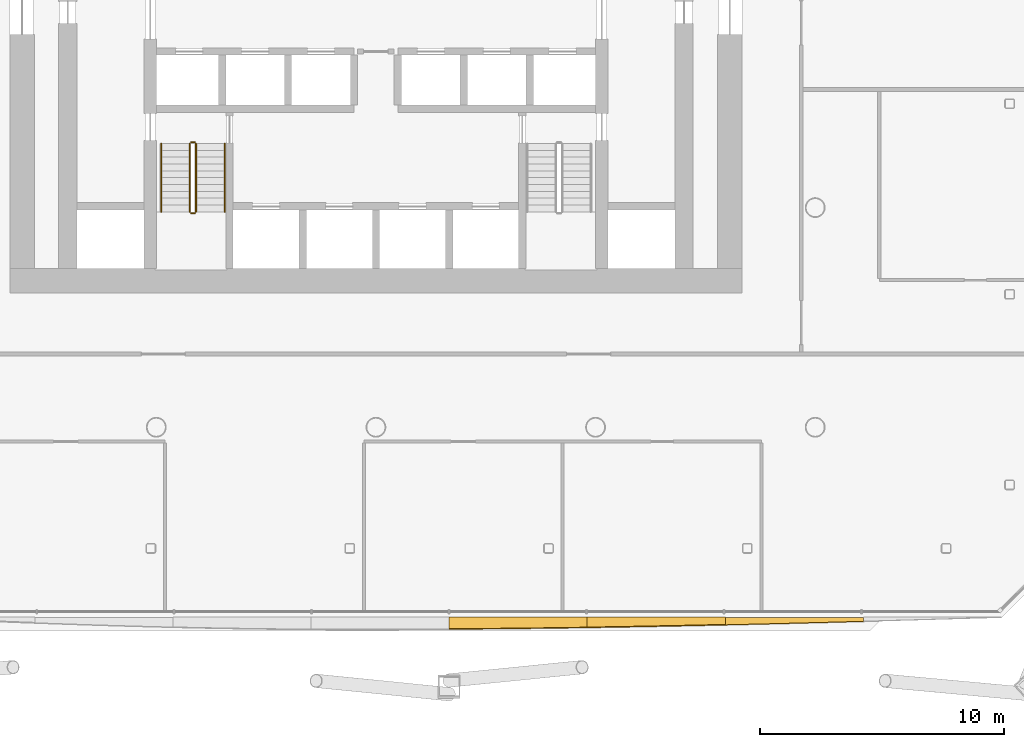
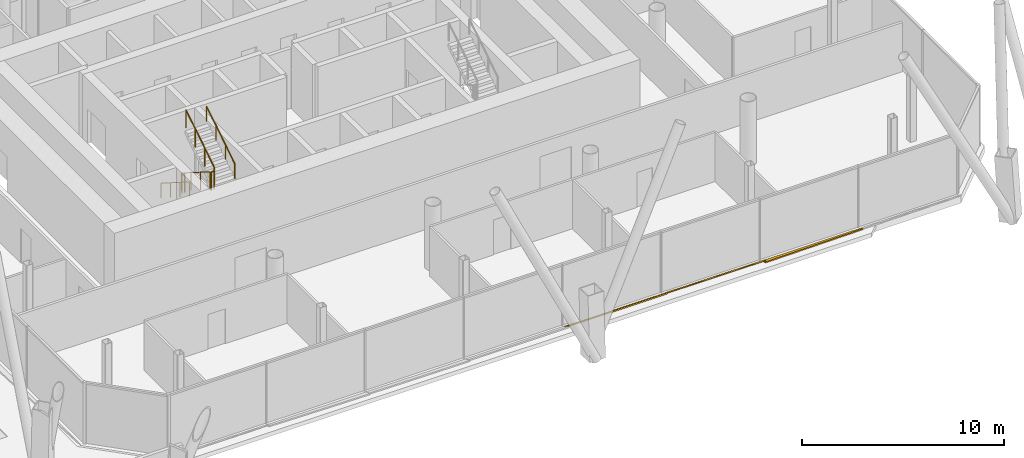
# One storey, part 18 of 23: 6 railings, 3 shading devices.
"""IFC4 building model written with IfcOpenShell, lengths in metres."""

from ifc_helpers import new_model, si_unit, direction, frame, origin, origin_2d, place, context, subcontext, project, spatial, polyline, circle, outline, extrude, material, layer, layer_set, type_object, element, save


model = new_model("IFC4")

# Units and contexts
model_context = context("Model", 3, precision=1e-05, world=origin(), true_north=direction((0.0, 1.0)))
body_context = subcontext(model_context, "Body", "Model", "MODEL_VIEW")
ifc_project = project(units=[si_unit("LENGTHUNIT", "METRE"), si_unit("AREAUNIT", "SQUARE_METRE"), si_unit("VOLUMEUNIT", "CUBIC_METRE"), si_unit("PLANEANGLEUNIT", "RADIAN"), si_unit("MASSUNIT", "GRAM", prefix="KILO")], contexts=[model_context])

# Site, building, storey
site_placement = place(None, origin())
site = spatial("IfcSite", under=ifc_project, at=site_placement, CompositionType="ELEMENT")
building_placement = place(site_placement, origin())
building = spatial("IfcBuilding", under=site, at=building_placement, Name="Tskaro Facet Tower", CompositionType="ELEMENT")
storey_placement = place(building_placement, frame((0.0, 0.0, 62.10009765625)))
storey = spatial("IfcBuildingStorey", under=building, at=storey_placement, Name="L14", CompositionType="ELEMENT", Elevation=62.10009765625)

# Shading devices
ifc_material_1 = material(Name="Bronze anodised aluminium 6063-T6", Category="aluminium")
ifc_layer = layer(ifc_material_1, 0.06005859375, Name="Bronze anodised aluminium 6063-T6")
ifc_layer_set = layer_set([ifc_layer], Name="Bronze anodised aluminium 6063-T6")
shading_device_type = type_object("IfcShadingDeviceType", Name="Bronze sun blade (FN1)", PredefinedType="USERDEFINED", material=ifc_layer_set)
shading_device_1_placement = place(storey_placement, frame((3.0, -25.774658203125, 0.049072265625), z_axis=(-7.282686e-06, 0.573653744078, 0.819097907367), x_axis=(0.999999999973, 4.17774e-06, 5.965233e-06)))
element("IfcShadingDevice", 1, at=shading_device_1_placement, inside=storey, type_object=shading_device_type, Name="Fin blade south 5", ObjectType="FIN", PredefinedType="USERDEFINED", context=body_context, shape_type="SweptSolid", body=[
    extrude(outline(polyline([(0.0, 0.0), (5.658691406099939, -2.3965490297192594e-21), (5.658691406110666, -0.5072997805991066), (4.951416015773381, -0.5204403015932408), (4.244140625146852, -0.5323607657363416), (3.536621093022532, -0.5436011753621174), (2.8293457026903175, -0.5537615803204763), (2.1220703125052602, -0.5630419556864643), (1.4147949220309601, -0.571102274201419), (0.7072753910788232, -0.5782825631240027), (-5.575190160375097e-10, -0.5844427702705991), (0.0, 0.0)])), origin(), (0.0, 0.0, -1.0), 0.06005859375),
])
shading_device_2_placement = place(storey_placement, frame((8.65869140625, -25.7705078125, 0.0458984375), z_axis=(5.350776e-06, 0.642860826184, 0.765983001201), x_axis=(0.999999999986, -3.439804e-06, -4.098603e-06)))
element("IfcShadingDevice", 2, at=shading_device_2_placement, inside=storey, type_object=shading_device_type, Name="Fin blade south 6", ObjectType="FIN", PredefinedType="USERDEFINED", context=body_context, shape_type="SweptSolid", body=[
    extrude(outline(polyline([(0.0, 0.0), (5.658691406168994, 0.0), (5.658691405764679, -0.39943024650250325), (4.951416015702218, -0.42006095443542124), (4.244140624960802, -0.4401606987871337), (3.536865234701904, -0.45922857510119564), (2.8293457031390536, -0.4777654878340521), (2.122070312683719, -0.495270532529258), (1.4147949217102669, -0.5119006576307084), (0.7075195310584945, -0.5278428707070582), (-5.755513982384467e-10, -0.5425662081771023), (0.0, 0.0)])), origin(), (0.0, 0.0, -1.0), 0.06005859375),
])
shading_device_3_placement = place(storey_placement, frame((14.3173828125, -25.78857421875, 0.056396484375), z_axis=(2.1773756e-05, 0.341543178428, 0.939866084501), x_axis=(0.999999999763, -7.436678e-06, -2.0464415e-05)))
element("IfcShadingDevice", 3, at=shading_device_3_placement, inside=storey, type_object=shading_device_type, Name="Fin blade south 7", ObjectType="FIN", PredefinedType="USERDEFINED", context=body_context, shape_type="SweptSolid", body=[
    extrude(outline(polyline([(0.0, 0.0), (5.65893554553356, 0.0), (5.658935547005756, -0.1724567837590931), (4.951416014465834, -0.19300223611991785), (4.244140625731456, -0.21323484442233606), (3.5368652333658868, -0.23300853373807287), (2.829589844180918, -0.2524693789954031), (2.1220703107398164, -0.271471305266052), (1.4147949211042568, -0.2901603874782943), (0.7075195310181065, -0.30807770664544876), (-3.324176159482818e-09, -0.32553610682592166), (0.0, 0.0)])), origin(), (0.0, 0.0, -1.0), 0.06005859375),
])

# Railings
ifc_material_2 = material(Name="Stainless steel", Category="steel")
railing_type_1 = type_object("IfcRailingType", Name="RL-GUARD-1100", PredefinedType="GUARDRAIL", material=ifc_material_2)
railing_1_placement = place(storey_placement, frame((-7.625, -6.375, 0.17724609375)))
element("IfcRailing", 4, at=railing_1_placement, inside=storey, type_object=railing_type_1, Name="L14 ST-1 stair guard 1", PredefinedType="GUARDRAIL", context=body_context, shape_type="SweptSolid", body=[
    extrude(circle(Radius=0.02392578125, at=origin_2d()), frame((0.0, 0.0, 1.076171875), z_axis=(0.0, -0.844908973607, 0.534910110503), x_axis=(1.0, 0.0, 0.0)), (0.0, 0.0, 1.0), 3.31396484375),
    extrude(circle(Radius=0.02099609375, at=origin_2d()), origin(), (0.0, 0.0, 1.0), 1.052001953125),
    extrude(circle(Radius=0.02099609375, at=origin_2d()), frame((0.0, -0.933349609375, 0.5908203125)), (0.0, 0.0, 1.0), 1.052001953125),
    extrude(circle(Radius=0.02099609375, at=origin_2d()), frame((0.0, -1.86669921875, 1.181884765625)), (0.0, 0.0, 1.0), 1.052001953125),
    extrude(circle(Radius=0.02099609375, at=origin_2d()), frame((0.0, -2.800048828125, 1.772705078125)), (0.0, 0.0, 1.0), 1.052001953125),
])
railing_2_placement = place(storey_placement, frame((-7.574951171875, -9.22509765625, 1.949951171875)))
element("IfcRailing", 5, at=railing_2_placement, inside=storey, type_object=railing_type_1, Name="L14 ST-1 stair guard 2", PredefinedType="GUARDRAIL", context=body_context, shape_type="SweptSolid", body=[
    extrude(circle(Radius=0.02392578125, at=origin_2d()), frame((0.0, 0.0, 1.076171875), z_axis=(1.0, 0.0, 0.0), x_axis=(0.0, 1.0, 0.0)), (0.0, 0.0, 1.0), 0.14990234375),
    extrude(circle(Radius=0.02099609375, at=origin_2d()), origin(), (0.0, 0.0, 1.0), 1.052001953125),
    extrude(circle(Radius=0.02099609375, at=origin_2d()), frame((0.14990234375, 0.0, 0.0)), (0.0, 0.0, 1.0), 1.052001953125),
])
railing_3_placement = place(storey_placement, frame((-7.375, -9.175048828125, 2.127197265625)))
element("IfcRailing", 6, at=railing_3_placement, inside=storey, type_object=railing_type_1, Name="L14 ST-1 stair guard 3", PredefinedType="GUARDRAIL", context=body_context, shape_type="SweptSolid", body=[
    extrude(circle(Radius=0.02392578125, at=origin_2d()), frame((0.0, 0.0, 1.076171875), z_axis=(0.0, 0.844908973607, 0.534910110503), x_axis=(-1.0, 0.0, 0.0)), (0.0, 0.0, 1.0), 3.31396484375),
    extrude(circle(Radius=0.02099609375, at=origin_2d()), origin(), (0.0, 0.0, 1.0), 1.052001953125),
    extrude(circle(Radius=0.02099609375, at=origin_2d()), frame((0.0, 0.933349609375, 0.5908203125)), (0.0, 0.0, 1.0), 1.052001953125),
    extrude(circle(Radius=0.02099609375, at=origin_2d()), frame((0.0, 1.86669921875, 1.181884765625)), (0.0, 0.0, 1.0), 1.052001953125),
    extrude(circle(Radius=0.02099609375, at=origin_2d()), frame((0.0, 2.800048828125, 1.772705078125)), (0.0, 0.0, 1.0), 1.052001953125),
])
railing_4_placement = place(storey_placement, frame((-7.574951171875, -6.324951171875, 0.0)))
element("IfcRailing", 7, at=railing_4_placement, inside=storey, type_object=railing_type_1, Name="L14 ST-1 stair guard 4", PredefinedType="GUARDRAIL", context=body_context, shape_type="SweptSolid", body=[
    extrude(circle(Radius=0.02392578125, at=origin_2d()), frame((0.0, 0.0, 1.076171875), z_axis=(1.0, 0.0, 0.0), x_axis=(0.0, 1.0, 0.0)), (0.0, 0.0, 1.0), 0.14990234375),
    extrude(circle(Radius=0.02099609375, at=origin_2d()), origin(), (0.0, 0.0, 1.0), 1.052001953125),
    extrude(circle(Radius=0.02099609375, at=origin_2d()), frame((0.14990234375, 0.0, 0.0)), (0.0, 0.0, 1.0), 1.052001953125),
])
railing_type_2 = type_object("IfcRailingType", Name="RL-HANDRAIL-900", PredefinedType="HANDRAIL", material=ifc_material_2)
railing_5_placement = place(storey_placement, frame((-8.800048828125, -6.375, 0.17724609375)))
element("IfcRailing", 8, at=railing_5_placement, inside=storey, type_object=railing_type_2, Name="L14 ST-1 stair handrail 1", PredefinedType="HANDRAIL", context=body_context, shape_type="SweptSolid", body=[
    extrude(circle(Radius=0.02392578125, at=origin_2d()), frame((0.0, 0.0, 0.8759765625), z_axis=(0.0, -0.844908973607, 0.534910110503), x_axis=(1.0, 0.0, 0.0)), (0.0, 0.0, 1.0), 3.31396484375),
    extrude(circle(Radius=0.02099609375, at=origin_2d()), origin(), (0.0, 0.0, 1.0), 0.851806640625),
    extrude(circle(Radius=0.02099609375, at=origin_2d()), frame((0.0, -0.933349609375, 0.5908203125)), (0.0, 0.0, 1.0), 0.851806640625),
    extrude(circle(Radius=0.02099609375, at=origin_2d()), frame((0.0, -1.86669921875, 1.181884765625)), (0.0, 0.0, 1.0), 0.851806640625),
    extrude(circle(Radius=0.02099609375, at=origin_2d()), frame((0.0, -2.800048828125, 1.772705078125)), (0.0, 0.0, 1.0), 0.851806640625),
])
railing_6_placement = place(storey_placement, frame((-6.199951171875, -9.175048828125, 2.127197265625)))
element("IfcRailing", 9, at=railing_6_placement, inside=storey, type_object=railing_type_2, Name="L14 ST-1 stair handrail 2", PredefinedType="HANDRAIL", context=body_context, shape_type="SweptSolid", body=[
    extrude(circle(Radius=0.02392578125, at=origin_2d()), frame((0.0, 0.0, 0.8759765625), z_axis=(0.0, 0.844908973607, 0.534910110503), x_axis=(-1.0, 0.0, 0.0)), (0.0, 0.0, 1.0), 3.31396484375),
    extrude(circle(Radius=0.02099609375, at=origin_2d()), origin(), (0.0, 0.0, 1.0), 0.851806640625),
    extrude(circle(Radius=0.02099609375, at=origin_2d()), frame((0.0, 0.933349609375, 0.5908203125)), (0.0, 0.0, 1.0), 0.851806640625),
    extrude(circle(Radius=0.02099609375, at=origin_2d()), frame((0.0, 1.86669921875, 1.181884765625)), (0.0, 0.0, 1.0), 0.851806640625),
    extrude(circle(Radius=0.02099609375, at=origin_2d()), frame((0.0, 2.800048828125, 1.772705078125)), (0.0, 0.0, 1.0), 0.851806640625),
])

save(model, "model.ifc")
